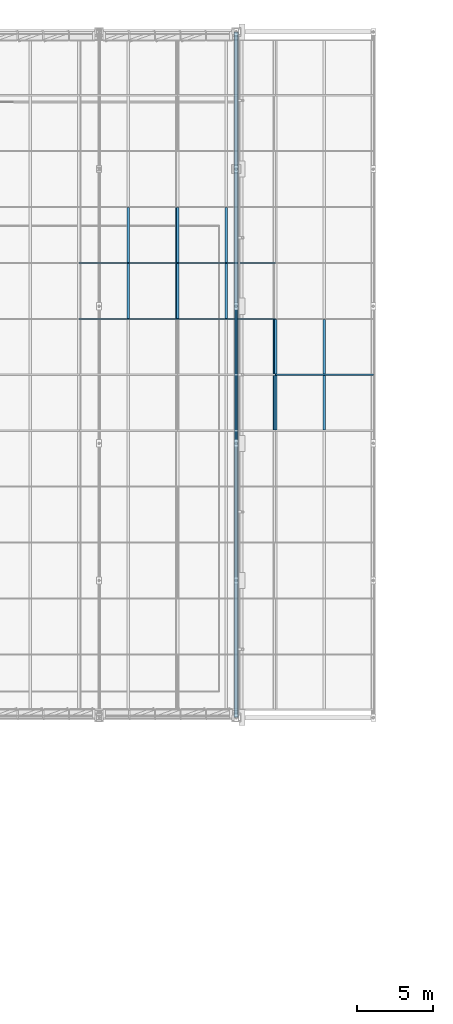
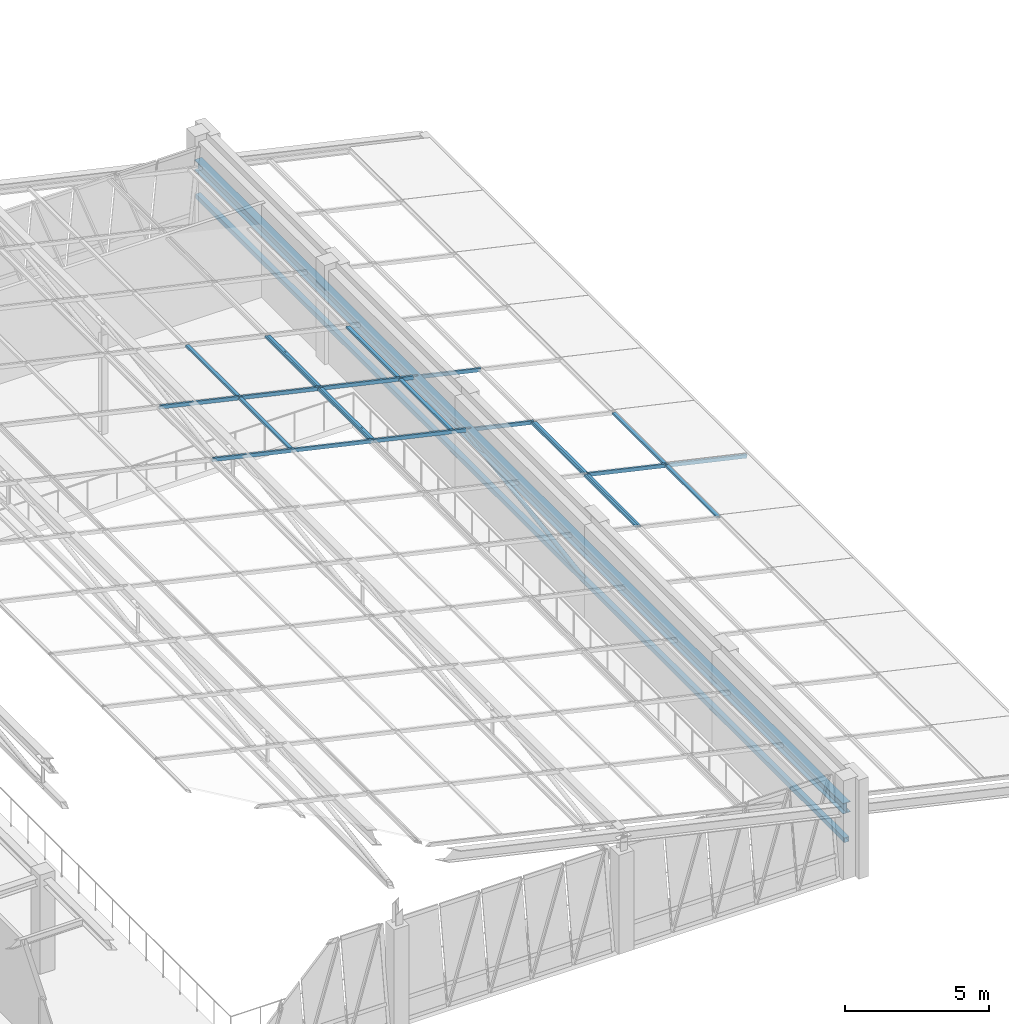
# One storey, part 84 of 130: 22 members, 3 elements without a shape of their own.
"""IFC4 building model written with IfcOpenShell, lengths in metres."""

import ifcopenshell
import ifcopenshell.guid

model = None  # the IFC model being written
_history = None  # IfcOwnerHistory: only IFC2X3 demands one
_inside = {}  # id of a spatial element -> (the spatial element, [elements in it])
_under = {}  # id of a project, library or spatial element -> (it, [spatial elements below it])
_declared = {}  # id of a project -> (the project, [libraries it declares])
_typed = {}  # id of a type object -> (the type object, [elements of that type])
_made_of = {}  # id of a material, layer set ... -> (it, [elements and type objects made of it])


def new_model(schema):
    """Start an empty IFC model of exactly this schema.

    Asked for "IFC4X3", IfcOpenShell would pick the latest addendum, in which some entities
    have other attributes; the version numbers below select the first issue.
    IFC2X3 requires an IfcOwnerHistory on every rooted entity: one is made here for all.
    """
    global model, _history
    if schema == "IFC4X3":
        model = ifcopenshell.file(schema_version=(4, 3, 0, 0))
    else:
        model = ifcopenshell.file(schema=schema)
    _inside.clear()
    _under.clear()
    _declared.clear()
    _typed.clear()
    _made_of.clear()
    _history = None
    if model.schema == "IFC2X3":
        org = make("IfcOrganization", Name="unknown")
        user = make(
            "IfcPersonAndOrganization",
            ThePerson=make("IfcPerson", FamilyName="unknown"),
            TheOrganization=org,
        )
        app = make(
            "IfcApplication",
            ApplicationDeveloper=org,
            Version="unknown",
            ApplicationFullName="unknown",
            ApplicationIdentifier="unknown",
        )
        _history = make(
            "IfcOwnerHistory",
            OwningUser=user,
            OwningApplication=app,
            ChangeAction="ADDED",
            CreationDate=0,
        )
    return model


def make(cls, **values):
    """One entity of the class cls with the attributes given. An attribute that is None is left unset."""
    return model.create_entity(
        cls, **{name: value for name, value in values.items() if value is not None}
    )


def rooted(cls, **values):
    """An entity with a GlobalId (a new one), such as an element, a storey or a relation."""
    return make(cls, GlobalId=ifcopenshell.guid.new(), OwnerHistory=_history, **values)


def si_unit(unit_type, name, prefix=None):
    """IfcSIUnit, for example si_unit("LENGTHUNIT", "METRE", prefix="MILLI")."""
    return make("IfcSIUnit", UnitType=unit_type, Prefix=prefix, Name=name)


def assignment(units):
    """IfcUnitAssignment: the units of a project."""
    return None if units is None else make("IfcUnitAssignment", Units=units)


def point(xyz):
    """IfcCartesianPoint."""
    return None if xyz is None else make("IfcCartesianPoint", Coordinates=xyz)


def direction(xyz):
    """IfcDirection."""
    return None if xyz is None else make("IfcDirection", DirectionRatios=xyz)


def frame(location, z_axis=None, x_axis=None):
    """IfcAxis2Placement3D, a coordinate frame: its origin and axes. An axis left out is left unset."""
    return make(
        "IfcAxis2Placement3D",
        Location=point(location),
        Axis=direction(z_axis),
        RefDirection=direction(x_axis),
    )


def frame_2d(location, x_axis=None):
    """IfcAxis2Placement2D, a coordinate frame in the plane: its origin and x axis."""
    return make(
        "IfcAxis2Placement2D", Location=point(location), RefDirection=direction(x_axis)
    )


def origin():
    """The frame at (0, 0, 0) with its axes left unset."""
    return frame((0.0, 0.0, 0.0))


def origin_2d():
    """The frame at (0, 0) in the plane with its x axis left unset."""
    return frame_2d((0.0, 0.0))


def place(relative_to, where):
    """IfcLocalPlacement: puts the frame where relative to a parent placement (None: the world)."""
    return make(
        "IfcLocalPlacement", PlacementRelTo=relative_to, RelativePlacement=where
    )


def context(
    kind, dimensions, precision=None, world=None, true_north=None, identifier=None
):
    """IfcGeometricRepresentationContext, for example the 3D "Model" context."""
    return make(
        "IfcGeometricRepresentationContext",
        ContextIdentifier=identifier,
        ContextType=kind,
        CoordinateSpaceDimension=dimensions,
        Precision=precision,
        WorldCoordinateSystem=world,
        TrueNorth=true_north,
    )


def subcontext(parent, identifier, kind, view, scale=None):
    """IfcGeometricRepresentationSubContext, for example "Body" below "Model"."""
    return make(
        "IfcGeometricRepresentationSubContext",
        ContextIdentifier=identifier,
        ContextType=kind,
        ParentContext=parent,
        TargetScale=scale,
        TargetView=view,
    )


def project(units=None, contexts=None):
    """IfcProject with its units and contexts."""
    return rooted(
        "IfcProject",
        Name="project",
        RepresentationContexts=contexts,
        UnitsInContext=assignment(units),
    )


def spatial(cls, under=None, at=None, **own):
    """A site, building, storey or space (cls), placed at a placement, below another one or the project."""
    s = rooted(cls, ObjectPlacement=at, **own)
    if under is not None:
        _under.setdefault(under.id(), (under, []))[1].append(s)
    return s


def profile(cls, at=None, kind="AREA", **sizes):
    """A parametric profile (cls). Its sizes go by their IFC names, for example OverallWidth=200.0."""
    return make(cls, ProfileType=kind, Position=at, **sizes)


def hollow_rectangle(**sizes):
    """IfcRectangleHollowProfileDef."""
    return profile("IfcRectangleHollowProfileDef", **sizes)


def hollow_circle(**sizes):
    """IfcCircleHollowProfileDef."""
    return profile("IfcCircleHollowProfileDef", **sizes)


def i_section(**sizes):
    """IfcIShapeProfileDef."""
    return profile("IfcIShapeProfileDef", **sizes)


def extrude(swept, where, along, depth):
    """IfcExtrudedAreaSolid: the profile swept, set in the frame where, extruded along a direction by depth."""
    return make(
        "IfcExtrudedAreaSolid",
        SweptArea=swept,
        Position=where,
        ExtrudedDirection=direction(along),
        Depth=depth,
    )


def shape(context_of_items, identifier, shape_type, items):
    """IfcShapeRepresentation: the items that make up one representation, for example the "Body"."""
    return make(
        "IfcShapeRepresentation",
        ContextOfItems=context_of_items,
        RepresentationIdentifier=identifier,
        RepresentationType=shape_type,
        Items=items,
    )


def material(Name=None, Category=None):
    """IfcMaterial."""
    return make("IfcMaterial", Name=Name, Category=Category)


def material_profile(
    of_material, cross_section, Name=None, Category=None, Priority=None
):
    """IfcMaterialProfile: a cross section and its material."""
    return make(
        "IfcMaterialProfile",
        Name=Name,
        Material=of_material,
        Profile=cross_section,
        Priority=Priority,
        Category=Category,
    )


def profile_set(profiles, Name=None, composite=None):
    """IfcMaterialProfileSet."""
    return make(
        "IfcMaterialProfileSet",
        Name=Name,
        MaterialProfiles=profiles,
        CompositeProfile=composite,
    )


def made_of(thing, what):
    """Note that an element or type object is made of a material, layer set ...; save() writes the relation."""
    if what is not None:
        _made_of.setdefault(what.id(), (what, []))[1].append(thing)
    return thing


def type_object(cls, material=None, **own):
    """A type object (cls), such as IfcWallType, which elements share."""
    return made_of(rooted(cls, **own), material)


def element(
    cls,
    number,
    at=None,
    inside=None,
    cuts=None,
    type_object=None,
    material=None,
    context=None,
    identifier="Body",
    shape_type=None,
    held_by="IfcProductDefinitionShape",
    body=None,
    shapes=None,
    **own,
):
    """One element of the class cls, such as IfcWall. Its Tag is "e" and its number.

    at: its placement. inside: the storey or other place that contains it. cuts: it is an
    opening in that element (IfcRelVoidsElement). A single representation is given by context,
    identifier, shape_type and body (its items); several are given by shapes. held_by: the class
    of the entity that holds the representations. save() writes the other relations.
    """
    e = rooted(cls, Tag="e%d" % number, ObjectPlacement=at, **own)
    if body is not None:
        shapes = [shape(context, identifier, shape_type, body)]
    if shapes is not None:
        e.Representation = make(held_by, Representations=shapes)
    if inside is not None:
        _inside.setdefault(inside.id(), (inside, []))[1].append(e)
    if cuts is not None:
        rooted(
            "IfcRelVoidsElement", RelatingBuildingElement=cuts, RelatedOpeningElement=e
        )
    if type_object is not None:
        _typed.setdefault(type_object.id(), (type_object, []))[1].append(e)
    return made_of(e, material)


def aggregate(whole, parts):
    """IfcRelAggregates: a whole, such as a stair, and the parts it consists of."""
    return rooted("IfcRelAggregates", RelatingObject=whole, RelatedObjects=parts)


def save(model, path):
    """Write the relations noted so far, then the file.

    IfcRelAggregates (storeys below a building ...), IfcRelContainedInSpatialStructure (elements
    in a storey), IfcRelDefinesByType, IfcRelAssociatesMaterial and IfcRelDeclares: one each for
    every whole, place, type object, material and project.
    """
    for whole, parts in _under.values():
        aggregate(whole, parts)
    for where, things in _inside.values():
        rooted(
            "IfcRelContainedInSpatialStructure",
            RelatedElements=things,
            RelatingStructure=where,
        )
    for kind, things in _typed.values():
        rooted("IfcRelDefinesByType", RelatedObjects=things, RelatingType=kind)
    for what, things in _made_of.values():
        rooted("IfcRelAssociatesMaterial", RelatedObjects=things, RelatingMaterial=what)
    for by, libraries in _declared.values():
        rooted("IfcRelDeclares", RelatingContext=by, RelatedDefinitions=libraries)
    model.write(path)


model = new_model("IFC4")

# Units and contexts
model_context = context("Model", 3, precision=1e-05, world=origin(), true_north=direction((0.0, 1.0)))
body_context = subcontext(model_context, "Body", "Model", "MODEL_VIEW")
ifc_project = project(units=[si_unit("LENGTHUNIT", "METRE"), si_unit("AREAUNIT", "SQUARE_METRE"), si_unit("VOLUMEUNIT", "CUBIC_METRE"), si_unit("PLANEANGLEUNIT", "RADIAN"), si_unit("MASSUNIT", "GRAM", prefix="KILO")], contexts=[model_context])

# Site, building, storey
site_placement = place(None, origin())
site = spatial("IfcSite", under=ifc_project, at=site_placement, CompositionType="ELEMENT")
building_placement = place(site_placement, origin())
building = spatial("IfcBuilding", under=site, at=building_placement, Name="Lykobir Media Centre", CompositionType="ELEMENT")
storey_placement = place(building_placement, frame((0.0, 0.0, 19.199951171875)))
storey = spatial("IfcBuildingStorey", under=building, at=storey_placement, Name="L04", CompositionType="ELEMENT", Elevation=19.199951171875)

# Member
ifc_material_1 = material(Name="Steel S355", Category="steel")
ifc_material_profile_1 = material_profile(ifc_material_1, hollow_circle(Radius=0.084228515625, WallThickness=0.010009765625, at=origin_2d()), Name="CHS 168.3x10.0")
ifc_profile_set_1 = profile_set([ifc_material_profile_1], Name="Steel S355")
member_type_1 = type_object("IfcMemberType", Name="BR-CHS168", PredefinedType="BRACE", material=ifc_profile_set_1)
member_1_placement = place(storey_placement, frame((72.0, 81.0, 1.429931640625), z_axis=(0.0, 0.988934778637, 0.148350947425), x_axis=(-1.0, 0.0, 0.0)))
element("IfcMember", 1, at=member_1_placement, inside=storey, type_object=member_type_1, Name="Diagonal brace MEM2-L04-0720-0810-0206-0720-0900-0490", PredefinedType="BRACE", context=body_context, shape_type="SweptSolid", body=[
    extrude(hollow_circle(Radius=0.084228515625, WallThickness=0.010009765625, at=origin_2d()), origin(), (0.0, 0.0, 1.0), 9.1005859375),
])

# Curtain wall, members
ifc_material_2 = material(Name="Anodized Aluminium AW-6060", Category="aluminium")
curtain_wall_type = type_object("IfcCurtainWallType", Name="CW-V6-SKY", PredefinedType="NOTDEFINED", material=ifc_material_2)
curtain_wall_1_placement = place(storey_placement, origin())
curtain_wall_1 = element("IfcCurtainWall", 2, at=curtain_wall_1_placement, inside=storey, type_object=curtain_wall_type, Name="Curtain wall CW-V6-SKY01", PredefinedType="NOTDEFINED")
ifc_material_profile_2 = material_profile(ifc_material_2, hollow_rectangle(XDim=0.074951171875, YDim=0.14990234375, WallThickness=0.00341796875, at=origin_2d()), Name="ALU TRANSOM 75x150")
ifc_profile_set_2 = profile_set([ifc_material_profile_2], Name="Anodized Aluminium AW-6060")
member_type_2 = type_object("IfcMemberType", Name="CWT-150", PredefinedType="USERDEFINED", material=ifc_profile_set_2)
member_2_placement = place(storey_placement, frame((80.977783203125, 85.5, 0.901611328125), z_axis=(-0.97526330388, 0.0, 0.221046348318), x_axis=(0.0, -1.0, 0.0)))
member_2 = element("IfcMember", 3, at=member_2_placement, type_object=member_type_2, Name="CW-V6-SKY01 rafter transom 7", ObjectType="TRANSOM", PredefinedType="USERDEFINED", context=body_context, shape_type="SweptSolid", body=[
    extrude(hollow_rectangle(XDim=0.074951171875, YDim=0.14990234375, WallThickness=0.00341796875, at=origin_2d()), origin(), (0.0, 0.0, 1.0), 6.591552734375),
])
member_3_placement = place(storey_placement, frame((77.763427734375, 89.132568359375, 1.630126953125), z_axis=(0.0, -1.0, 0.0), x_axis=(0.221054901821, 0.0, 0.975261365164)))
member_3 = element("IfcMember", 4, at=member_3_placement, type_object=member_type_2, Name="CW-V6-SKY01 transom 6.2", ObjectType="TRANSOM", PredefinedType="USERDEFINED", context=body_context, shape_type="SweptSolid", body=[
    extrude(hollow_rectangle(XDim=0.074951171875, YDim=0.14990234375, WallThickness=0.00341796875, at=origin_2d()), origin(), (0.0, 0.0, 1.0), 3.594970703125),
])
member_4_placement = place(storey_placement, frame((74.585693359375, 89.132568359375, 2.350341796875), z_axis=(0.0, -1.0, 0.0), x_axis=(0.221054901821, 0.0, 0.975261365164)))
member_4 = element("IfcMember", 5, at=member_4_placement, type_object=member_type_2, Name="CW-V6-SKY01 transom 6.3", ObjectType="TRANSOM", PredefinedType="USERDEFINED", context=body_context, shape_type="SweptSolid", body=[
    extrude(hollow_rectangle(XDim=0.074951171875, YDim=0.14990234375, WallThickness=0.00341796875, at=origin_2d()), origin(), (0.0, 0.0, 1.0), 3.594970703125),
])
member_5_placement = place(storey_placement, frame((77.763427734375, 85.46240234375, 1.630126953125), z_axis=(0.0, -1.0, 0.0), x_axis=(0.221054901821, 0.0, 0.975261365164)))
member_5 = element("IfcMember", 6, at=member_5_placement, type_object=member_type_2, Name="CW-V6-SKY01 transom 7.2", ObjectType="TRANSOM", PredefinedType="USERDEFINED", context=body_context, shape_type="SweptSolid", body=[
    extrude(hollow_rectangle(XDim=0.074951171875, YDim=0.14990234375, WallThickness=0.00341796875, at=origin_2d()), origin(), (0.0, 0.0, 1.0), 3.594970703125),
])
member_6_placement = place(storey_placement, frame((74.585693359375, 85.46240234375, 2.350341796875), z_axis=(0.0, -1.0, 0.0), x_axis=(0.221054901821, 0.0, 0.975261365164)))
member_6 = element("IfcMember", 7, at=member_6_placement, type_object=member_type_2, Name="CW-V6-SKY01 transom 7.3", ObjectType="TRANSOM", PredefinedType="USERDEFINED", context=body_context, shape_type="SweptSolid", body=[
    extrude(hollow_rectangle(XDim=0.074951171875, YDim=0.14990234375, WallThickness=0.00341796875, at=origin_2d()), origin(), (0.0, 0.0, 1.0), 3.594970703125),
])
aggregate(curtain_wall_1, [member_2, member_3, member_4, member_5, member_6])

curtain_wall_2_placement = place(storey_placement, origin())
curtain_wall_2 = element("IfcCurtainWall", 8, at=curtain_wall_2_placement, inside=storey, type_object=curtain_wall_type, Name="Curtain wall CW-V6-SKY02", PredefinedType="NOTDEFINED")
member_7_placement = place(storey_placement, frame((74.549072265625, 92.840087890625, 2.358642578125), z_axis=(-0.975255318588, 0.0, 0.221081576721), x_axis=(0.0, -1.0, 0.0)))
member_7 = element("IfcMember", 9, at=member_7_placement, type_object=member_type_2, Name="CW-V6-SKY02 rafter transom 5", ObjectType="TRANSOM", PredefinedType="USERDEFINED", context=body_context, shape_type="SweptSolid", body=[
    extrude(hollow_rectangle(XDim=0.074951171875, YDim=0.14990234375, WallThickness=0.00341796875, at=origin_2d()), origin(), (0.0, 0.0, 1.0), 6.591552734375),
])
member_8_placement = place(storey_placement, frame((74.549072265625, 89.169921875, 2.358642578125), z_axis=(-0.975255318588, 0.0, 0.221081576721), x_axis=(0.0, -1.0, 0.0)))
member_8 = element("IfcMember", 10, at=member_8_placement, type_object=member_type_2, Name="CW-V6-SKY02 rafter transom 6", ObjectType="TRANSOM", PredefinedType="USERDEFINED", context=body_context, shape_type="SweptSolid", body=[
    extrude(hollow_rectangle(XDim=0.074951171875, YDim=0.14990234375, WallThickness=0.00341796875, at=origin_2d()), origin(), (0.0, 0.0, 1.0), 6.591552734375),
])
member_9_placement = place(storey_placement, frame((71.334716796875, 96.472412109375, 3.087158203125), z_axis=(0.0, -1.0, 0.0), x_axis=(0.221071923309, 0.0, 0.975257506879)))
member_9 = element("IfcMember", 11, at=member_9_placement, type_object=member_type_2, Name="CW-V6-SKY02 transom 4.2", ObjectType="TRANSOM", PredefinedType="USERDEFINED", context=body_context, shape_type="SweptSolid", body=[
    extrude(hollow_rectangle(XDim=0.074951171875, YDim=0.14990234375, WallThickness=0.00341796875, at=origin_2d()), origin(), (0.0, 0.0, 1.0), 3.594970703125),
])
member_10_placement = place(storey_placement, frame((68.1572265625, 96.472412109375, 3.8076171875), z_axis=(0.0, -1.0, 0.0), x_axis=(0.221071923309, 0.0, 0.975257506879)))
member_10 = element("IfcMember", 12, at=member_10_placement, type_object=member_type_2, Name="CW-V6-SKY02 transom 4.3", ObjectType="TRANSOM", PredefinedType="USERDEFINED", context=body_context, shape_type="SweptSolid", body=[
    extrude(hollow_rectangle(XDim=0.074951171875, YDim=0.14990234375, WallThickness=0.00341796875, at=origin_2d()), origin(), (0.0, 0.0, 1.0), 3.594970703125),
])
member_11_placement = place(storey_placement, frame((71.334716796875, 92.802490234375, 3.087158203125), z_axis=(0.0, -1.0, 0.0), x_axis=(0.221071923309, 0.0, 0.975257506879)))
member_11 = element("IfcMember", 13, at=member_11_placement, type_object=member_type_2, Name="CW-V6-SKY02 transom 5.2", ObjectType="TRANSOM", PredefinedType="USERDEFINED", context=body_context, shape_type="SweptSolid", body=[
    extrude(hollow_rectangle(XDim=0.074951171875, YDim=0.14990234375, WallThickness=0.00341796875, at=origin_2d()), origin(), (0.0, 0.0, 1.0), 3.594970703125),
])
member_12_placement = place(storey_placement, frame((68.1572265625, 92.802490234375, 3.8076171875), z_axis=(0.0, -1.0, 0.0), x_axis=(0.221071923309, 0.0, 0.975257506879)))
member_12 = element("IfcMember", 14, at=member_12_placement, type_object=member_type_2, Name="CW-V6-SKY02 transom 5.3", ObjectType="TRANSOM", PredefinedType="USERDEFINED", context=body_context, shape_type="SweptSolid", body=[
    extrude(hollow_rectangle(XDim=0.074951171875, YDim=0.14990234375, WallThickness=0.00341796875, at=origin_2d()), origin(), (0.0, 0.0, 1.0), 3.594970703125),
])
member_13_placement = place(storey_placement, frame((74.512451171875, 89.132568359375, 2.366943359375), z_axis=(0.0, -1.0, 0.0), x_axis=(0.221071923309, 0.0, 0.975257506879)))
member_13 = element("IfcMember", 15, at=member_13_placement, type_object=member_type_2, Name="CW-V6-SKY02 transom 6.1", ObjectType="TRANSOM", PredefinedType="USERDEFINED", context=body_context, shape_type="SweptSolid", body=[
    extrude(hollow_rectangle(XDim=0.074951171875, YDim=0.14990234375, WallThickness=0.00341796875, at=origin_2d()), origin(), (0.0, 0.0, 1.0), 3.594970703125),
])
member_14_placement = place(storey_placement, frame((74.512451171875, 85.46240234375, 2.366943359375), z_axis=(0.0, -1.0, 0.0), x_axis=(0.221071923309, 0.0, 0.975257506879)))
member_14 = element("IfcMember", 16, at=member_14_placement, type_object=member_type_2, Name="CW-V6-SKY02 transom 7.1", ObjectType="TRANSOM", PredefinedType="USERDEFINED", context=body_context, shape_type="SweptSolid", body=[
    extrude(hollow_rectangle(XDim=0.074951171875, YDim=0.14990234375, WallThickness=0.00341796875, at=origin_2d()), origin(), (0.0, 0.0, 1.0), 3.594970703125),
])
aggregate(curtain_wall_2, [member_7, member_8, member_9, member_10, member_11, member_12, member_13, member_14])

curtain_wall_3_placement = place(storey_placement, origin())
curtain_wall_3 = element("IfcCurtainWall", 17, at=curtain_wall_3_placement, inside=storey, type_object=curtain_wall_type, Name="Curtain wall CW-V6-SKY03", PredefinedType="NOTDEFINED")
member_15_placement = place(storey_placement, frame((68.12060546875, 92.840087890625, 3.81591796875), z_axis=(-0.97526330388, 0.0, 0.221046348318), x_axis=(0.0, -1.0, 0.0)))
member_15 = element("IfcMember", 18, at=member_15_placement, type_object=member_type_2, Name="CW-V6-SKY03 rafter transom 5", ObjectType="TRANSOM", PredefinedType="USERDEFINED", context=body_context, shape_type="SweptSolid", body=[
    extrude(hollow_rectangle(XDim=0.074951171875, YDim=0.14990234375, WallThickness=0.00341796875, at=origin_2d()), origin(), (0.0, 0.0, 1.0), 6.591552734375),
])
member_16_placement = place(storey_placement, frame((68.12060546875, 89.169921875, 3.81591796875), z_axis=(-0.97526330388, 0.0, 0.221046348318), x_axis=(0.0, -1.0, 0.0)))
member_16 = element("IfcMember", 19, at=member_16_placement, type_object=member_type_2, Name="CW-V6-SKY03 rafter transom 6", ObjectType="TRANSOM", PredefinedType="USERDEFINED", context=body_context, shape_type="SweptSolid", body=[
    extrude(hollow_rectangle(XDim=0.074951171875, YDim=0.14990234375, WallThickness=0.00341796875, at=origin_2d()), origin(), (0.0, 0.0, 1.0), 6.591552734375),
])
member_17_placement = place(storey_placement, frame((68.083984375, 96.472412109375, 3.82421875), z_axis=(0.0, -1.0, 0.0), x_axis=(0.221054901821, 0.0, 0.975261365164)))
member_17 = element("IfcMember", 20, at=member_17_placement, type_object=member_type_2, Name="CW-V6-SKY03 transom 4.1", ObjectType="TRANSOM", PredefinedType="USERDEFINED", context=body_context, shape_type="SweptSolid", body=[
    extrude(hollow_rectangle(XDim=0.074951171875, YDim=0.14990234375, WallThickness=0.00341796875, at=origin_2d()), origin(), (0.0, 0.0, 1.0), 3.594970703125),
])
member_18_placement = place(storey_placement, frame((64.90625, 96.472412109375, 4.54443359375), z_axis=(0.0, -1.0, 0.0), x_axis=(0.221054901821, 0.0, 0.975261365164)))
member_18 = element("IfcMember", 21, at=member_18_placement, type_object=member_type_2, Name="CW-V6-SKY03 transom 4.2", ObjectType="TRANSOM", PredefinedType="USERDEFINED", context=body_context, shape_type="SweptSolid", body=[
    extrude(hollow_rectangle(XDim=0.074951171875, YDim=0.14990234375, WallThickness=0.00341796875, at=origin_2d()), origin(), (0.0, 0.0, 1.0), 3.594970703125),
])
member_19_placement = place(storey_placement, frame((68.083984375, 92.802490234375, 3.82421875), z_axis=(0.0, -1.0, 0.0), x_axis=(0.221054901821, 0.0, 0.975261365164)))
member_19 = element("IfcMember", 22, at=member_19_placement, type_object=member_type_2, Name="CW-V6-SKY03 transom 5.1", ObjectType="TRANSOM", PredefinedType="USERDEFINED", context=body_context, shape_type="SweptSolid", body=[
    extrude(hollow_rectangle(XDim=0.074951171875, YDim=0.14990234375, WallThickness=0.00341796875, at=origin_2d()), origin(), (0.0, 0.0, 1.0), 3.594970703125),
])
member_20_placement = place(storey_placement, frame((64.90625, 92.802490234375, 4.54443359375), z_axis=(0.0, -1.0, 0.0), x_axis=(0.221054901821, 0.0, 0.975261365164)))
member_20 = element("IfcMember", 23, at=member_20_placement, type_object=member_type_2, Name="CW-V6-SKY03 transom 5.2", ObjectType="TRANSOM", PredefinedType="USERDEFINED", context=body_context, shape_type="SweptSolid", body=[
    extrude(hollow_rectangle(XDim=0.074951171875, YDim=0.14990234375, WallThickness=0.00341796875, at=origin_2d()), origin(), (0.0, 0.0, 1.0), 3.594970703125),
])
aggregate(curtain_wall_3, [member_15, member_16, member_17, member_18, member_19, member_20])

# Members
ifc_material_profile_3 = material_profile(ifc_material_1, i_section(OverallWidth=0.300048828125, OverallDepth=0.43994140625, WebThickness=0.011474609375, FlangeThickness=0.02099609375, at=origin_2d()), Name="HEA 450")
ifc_profile_set_3 = profile_set([ifc_material_profile_3], Name="Steel S355")
member_type_3 = type_object("IfcMemberType", Name="TC-HEA450", PredefinedType="CHORD", material=ifc_profile_set_3)
member_21_placement = place(storey_placement, frame((72.0, 63.0, 2.780029296875), z_axis=(0.0, 1.0, 0.0), x_axis=(-1.0, 0.0, 0.0)))
element("IfcMember", 24, at=member_21_placement, inside=storey, type_object=member_type_3, Name="Truss chord MEM2-L04-0720-0630-0220-0720-1080-0483", PredefinedType="CHORD", context=body_context, shape_type="SweptSolid", body=[
    extrude(i_section(OverallWidth=0.300048828125, OverallDepth=0.43994140625, WebThickness=0.011474609375, FlangeThickness=0.02099609375, at=origin_2d()), origin(), (0.0, 0.0, 1.0), 45.0),
])
ifc_material_profile_4 = material_profile(ifc_material_1, hollow_rectangle(XDim=0.199951171875, YDim=0.199951171875, WallThickness=0.010009765625, at=origin_2d()), Name="SHS 200x200x10")
ifc_profile_set_4 = profile_set([ifc_material_profile_4], Name="Steel S355")
member_type_4 = type_object("IfcMemberType", Name="TC-SHS200", PredefinedType="CHORD", material=ifc_profile_set_4)
member_22_placement = place(storey_placement, frame((72.0, 63.0, 1.429931640625), z_axis=(0.0, 1.0, 0.0), x_axis=(-1.0, 0.0, 0.0)))
element("IfcMember", 25, at=member_22_placement, inside=storey, type_object=member_type_4, Name="Truss chord MEM2-L04-0720-0630-0206-0720-1080-0484", PredefinedType="CHORD", context=body_context, shape_type="SweptSolid", body=[
    extrude(hollow_rectangle(XDim=0.199951171875, YDim=0.199951171875, WallThickness=0.010009765625, at=origin_2d()), origin(), (0.0, 0.0, 1.0), 45.0),
])

save(model, "model.ifc")
